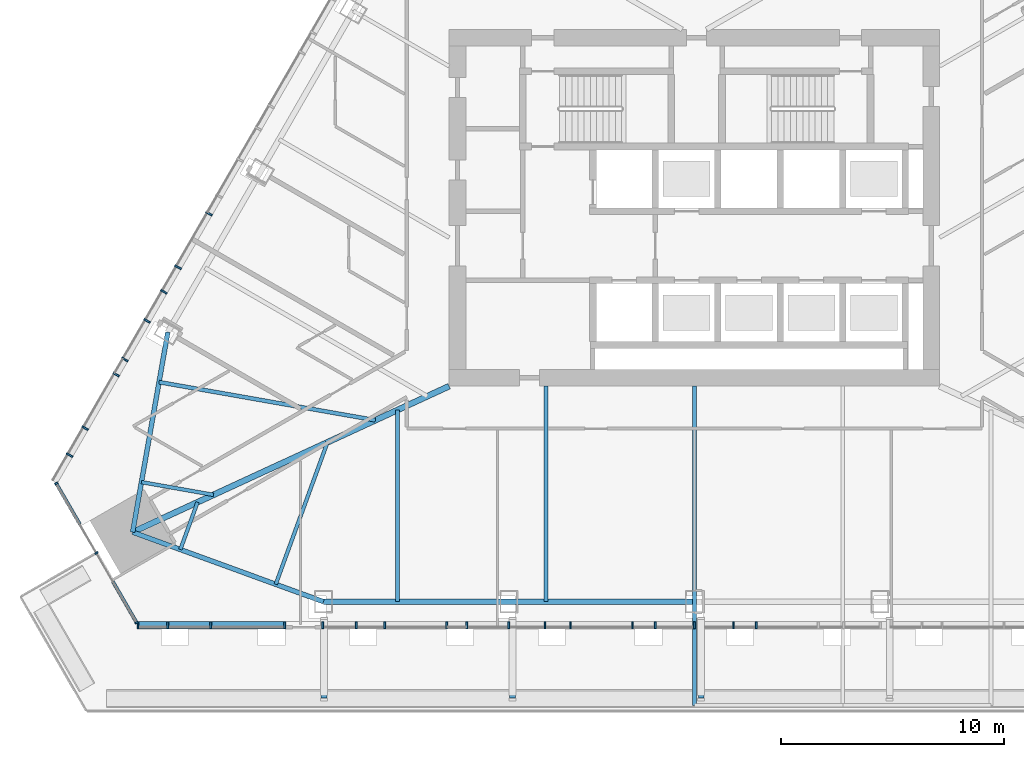
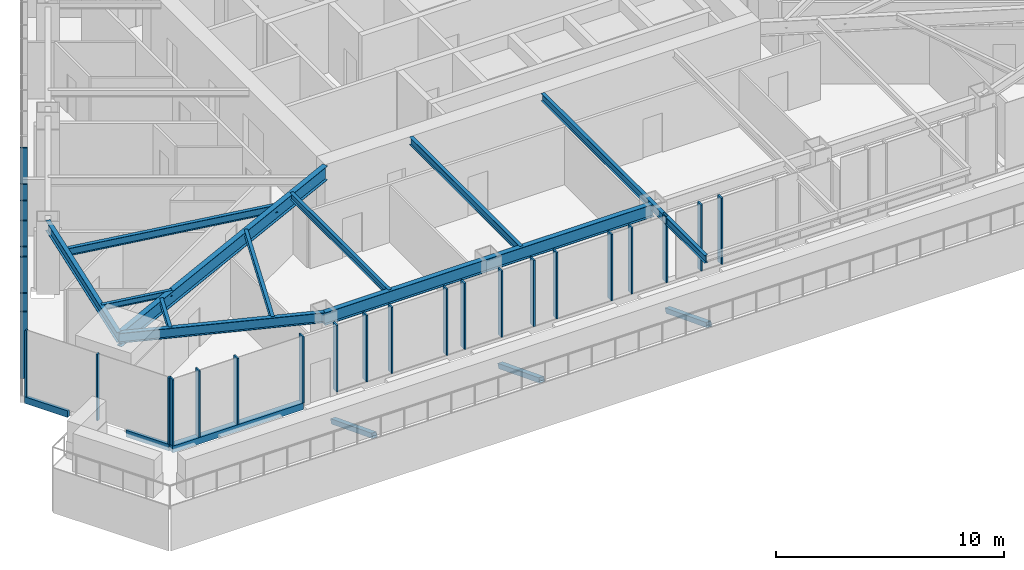
# One storey, part 2 of 21: 34 members, 11 beams, 3 elements without a shape of their own.
"""IFC4 building model written with IfcOpenShell, lengths in metres."""

from ifc_helpers import new_model, si_unit, direction, frame, origin, origin_2d, place, context, subcontext, project, spatial, rectangle, hollow_rectangle, i_section, extrude, material, layer, layer_set, material_profile, profile_set, type_object, element, aggregate, save


model = new_model("IFC4")

# Units and contexts
model_context = context("Model", 3, precision=1e-05, world=origin(), true_north=direction((0.0, 1.0)))
body_context = subcontext(model_context, "Body", "Model", "MODEL_VIEW")
ifc_project = project(units=[si_unit("LENGTHUNIT", "METRE"), si_unit("AREAUNIT", "SQUARE_METRE"), si_unit("VOLUMEUNIT", "CUBIC_METRE"), si_unit("PLANEANGLEUNIT", "RADIAN"), si_unit("MASSUNIT", "GRAM", prefix="KILO")], contexts=[model_context])

# Site, building, storey
site_placement = place(None, origin())
site = spatial("IfcSite", under=ifc_project, at=site_placement, CompositionType="ELEMENT")
building_placement = place(site_placement, origin())
building = spatial("IfcBuilding", under=site, at=building_placement, Name="Firuza Gate Tower and Library", CompositionType="ELEMENT")
storey_placement = place(building_placement, frame((0.0, 0.0, 222.10009765625)))
storey = spatial("IfcBuildingStorey", under=building, at=storey_placement, Name="L52", CompositionType="ELEMENT", Elevation=222.10009765625)

# Curtain wall, members
ifc_material_1 = material(Name="Aluminium 6063-T6", Category="aluminium")
ifc_layer_1 = layer(ifc_material_1, 0.14990234375)
ifc_layer_set_1 = layer_set([ifc_layer_1], Name="Corner curtain wall, chamfers")
curtain_wall_type_1 = type_object("IfcCurtainWallType", Name="Corner curtain wall, chamfers", PredefinedType="NOTDEFINED", material=ifc_layer_set_1)
placement = place(storey_placement, origin())
curtain_wall_1 = element("IfcCurtainWall", 1, at=placement, inside=storey, type_object=curtain_wall_type_1, Name="CW4 L52 SW corner", PredefinedType="NOTDEFINED")
ifc_material_2 = material(Name="Aluminium 6063-T6", Category="aluminium")
ifc_material_profile_1 = material_profile(ifc_material_2, rectangle(XDim=0.14990234375, YDim=0.080078125, at=origin_2d()))
ifc_profile_set_1 = profile_set([ifc_material_profile_1], Name="Aluminium 6063-T6")
member_type_1 = type_object("IfcMemberType", Name="Curtain wall mullion 80x150", PredefinedType="MULLION", material=ifc_profile_set_1)
member_1_placement = place(storey_placement, frame((46.380615234375, 62.63720703125, 0.14990234375), z_axis=(0.0, 0.0, 1.0), x_axis=(0.866025403784, 0.5, 0.0)))
member_1 = element("IfcMember", 2, at=member_1_placement, type_object=member_type_1, Name="Mullion", PredefinedType="MULLION", context=body_context, shape_type="SweptSolid", body=[
    extrude(rectangle(XDim=0.14990234375, YDim=0.080078125, at=origin_2d()), origin(), (0.0, 0.0, 1.0), 3.550048828125),
])
member_2_placement = place(storey_placement, frame((48.182373046875, 59.516845703125, 0.14990234375), z_axis=(0.0, 0.0, 1.0), x_axis=(0.866025403784, 0.5, 0.0)))
member_2 = element("IfcMember", 3, at=member_2_placement, type_object=member_type_1, Name="Mullion", PredefinedType="MULLION", context=body_context, shape_type="SweptSolid", body=[
    extrude(rectangle(XDim=0.14990234375, YDim=0.080078125, at=origin_2d()), origin(), (0.0, 0.0, 1.0), 3.550048828125),
])
member_3_placement = place(storey_placement, frame((49.98388671875, 56.396240234375, 0.14990234375), z_axis=(0.0, 0.0, 1.0), x_axis=(0.866025403784, 0.5, 0.0)))
member_3 = element("IfcMember", 4, at=member_3_placement, type_object=member_type_1, Name="Mullion", PredefinedType="MULLION", context=body_context, shape_type="SweptSolid", body=[
    extrude(rectangle(XDim=0.14990234375, YDim=0.080078125, at=origin_2d()), origin(), (0.0, 0.0, 1.0), 3.550048828125),
])

ifc_material_3 = material(Name="Aluminium 6063-T6", Category="aluminium")
ifc_layer_2 = layer(ifc_material_3, 0.14990234375)
ifc_layer_set_2 = layer_set([ifc_layer_2], Name="Unitised curtain wall, hotel")
curtain_wall_type_2 = type_object("IfcCurtainWallType", Name="Unitised curtain wall, hotel", PredefinedType="NOTDEFINED", material=ifc_layer_set_2)
curtain_wall_2 = element("IfcCurtainWall", 5, at=placement, inside=storey, type_object=curtain_wall_type_2, Name="CW2 L52 S face", PredefinedType="NOTDEFINED")
ifc_material_4 = material(Name="Aluminium 6063-T6", Category="aluminium")
ifc_material_profile_2 = material_profile(ifc_material_4, rectangle(XDim=0.320068359375, YDim=0.080078125, at=origin_2d()))
ifc_profile_set_2 = profile_set([ifc_material_profile_2], Name="Aluminium 6063-T6")
member_type_2 = type_object("IfcMemberType", Name="Curtain wall mullion 80x320", PredefinedType="MULLION", material=ifc_profile_set_2)
member_4_placement = place(storey_placement, frame((50.0439453125, 56.276611328125, 0.14990234375), z_axis=(0.0, 0.0, 1.0), x_axis=(0.0, 1.0, 0.0)))
member_4 = element("IfcMember", 6, at=member_4_placement, type_object=member_type_2, Name="Mullion", PredefinedType="MULLION", context=body_context, shape_type="SweptSolid", body=[
    extrude(rectangle(XDim=0.320068359375, YDim=0.080078125, at=origin_2d()), origin(), (0.0, 0.0, 1.0), 3.550048828125),
])
member_5_placement = place(storey_placement, frame((53.31396484375, 56.276611328125, 0.14990234375), z_axis=(0.0, 0.0, 1.0), x_axis=(0.0, 1.0, 0.0)))
member_5 = element("IfcMember", 7, at=member_5_placement, type_object=member_type_2, Name="Mullion", PredefinedType="MULLION", context=body_context, shape_type="SweptSolid", body=[
    extrude(rectangle(XDim=0.320068359375, YDim=0.080078125, at=origin_2d()), origin(), (0.0, 0.0, 1.0), 3.550048828125),
])
member_6_placement = place(storey_placement, frame((56.6240234375, 56.276611328125, 0.14990234375), z_axis=(0.0, 0.0, 1.0), x_axis=(0.0, 1.0, 0.0)))
member_6 = element("IfcMember", 8, at=member_6_placement, type_object=member_type_2, Name="Mullion", PredefinedType="MULLION", context=body_context, shape_type="SweptSolid", body=[
    extrude(rectangle(XDim=0.320068359375, YDim=0.080078125, at=origin_2d()), origin(), (0.0, 0.0, 1.0), 3.550048828125),
])
member_7_placement = place(storey_placement, frame((58.3359375, 56.276611328125, 0.14990234375), z_axis=(0.0, 0.0, 1.0), x_axis=(0.0, 1.0, 0.0)))
member_7 = element("IfcMember", 9, at=member_7_placement, type_object=member_type_2, Name="Mullion", PredefinedType="MULLION", context=body_context, shape_type="SweptSolid", body=[
    extrude(rectangle(XDim=0.320068359375, YDim=0.080078125, at=origin_2d()), origin(), (0.0, 0.0, 1.0), 3.550048828125),
])
member_8_placement = place(storey_placement, frame((61.11328125, 56.276611328125, 0.14990234375), z_axis=(0.0, 0.0, 1.0), x_axis=(0.0, 1.0, 0.0)))
member_8 = element("IfcMember", 10, at=member_8_placement, type_object=member_type_2, Name="Mullion", PredefinedType="MULLION", context=body_context, shape_type="SweptSolid", body=[
    extrude(rectangle(XDim=0.320068359375, YDim=0.080078125, at=origin_2d()), origin(), (0.0, 0.0, 1.0), 3.550048828125),
])
member_9_placement = place(storey_placement, frame((63.890625, 56.276611328125, 0.14990234375), z_axis=(0.0, 0.0, 1.0), x_axis=(0.0, 1.0, 0.0)))
member_9 = element("IfcMember", 11, at=member_9_placement, type_object=member_type_2, Name="Mullion", PredefinedType="MULLION", context=body_context, shape_type="SweptSolid", body=[
    extrude(rectangle(XDim=0.320068359375, YDim=0.080078125, at=origin_2d()), origin(), (0.0, 0.0, 1.0), 3.550048828125),
])
member_10_placement = place(storey_placement, frame((66.66796875, 56.276611328125, 0.14990234375), z_axis=(0.0, 0.0, 1.0), x_axis=(0.0, 1.0, 0.0)))
member_10 = element("IfcMember", 12, at=member_10_placement, type_object=member_type_2, Name="Mullion", PredefinedType="MULLION", context=body_context, shape_type="SweptSolid", body=[
    extrude(rectangle(XDim=0.320068359375, YDim=0.080078125, at=origin_2d()), origin(), (0.0, 0.0, 1.0), 3.550048828125),
])
member_11_placement = place(storey_placement, frame((69.4453125, 56.276611328125, 0.14990234375), z_axis=(0.0, 0.0, 1.0), x_axis=(0.0, 1.0, 0.0)))
member_11 = element("IfcMember", 13, at=member_11_placement, type_object=member_type_2, Name="Mullion", PredefinedType="MULLION", context=body_context, shape_type="SweptSolid", body=[
    extrude(rectangle(XDim=0.320068359375, YDim=0.080078125, at=origin_2d()), origin(), (0.0, 0.0, 1.0), 3.550048828125),
])
member_12_placement = place(storey_placement, frame((72.22265625, 56.276611328125, 0.14990234375), z_axis=(0.0, 0.0, 1.0), x_axis=(0.0, 1.0, 0.0)))
member_12 = element("IfcMember", 14, at=member_12_placement, type_object=member_type_2, Name="Mullion", PredefinedType="MULLION", context=body_context, shape_type="SweptSolid", body=[
    extrude(rectangle(XDim=0.320068359375, YDim=0.080078125, at=origin_2d()), origin(), (0.0, 0.0, 1.0), 3.550048828125),
])
member_13_placement = place(storey_placement, frame((75.0, 56.276611328125, 0.14990234375), z_axis=(0.0, 0.0, 1.0), x_axis=(0.0, 1.0, 0.0)))
member_13 = element("IfcMember", 15, at=member_13_placement, type_object=member_type_2, Name="Mullion", PredefinedType="MULLION", context=body_context, shape_type="SweptSolid", body=[
    extrude(rectangle(XDim=0.320068359375, YDim=0.080078125, at=origin_2d()), origin(), (0.0, 0.0, 1.0), 3.550048828125),
])
member_14_placement = place(storey_placement, frame((77.77734375, 56.276611328125, 0.14990234375), z_axis=(0.0, 0.0, 1.0), x_axis=(0.0, 1.0, 0.0)))
member_14 = element("IfcMember", 16, at=member_14_placement, type_object=member_type_2, Name="Mullion", PredefinedType="MULLION", context=body_context, shape_type="SweptSolid", body=[
    extrude(rectangle(XDim=0.320068359375, YDim=0.080078125, at=origin_2d()), origin(), (0.0, 0.0, 1.0), 3.550048828125),
])
member_15_placement = place(storey_placement, frame((51.385009765625, 56.276611328125, 0.14990234375), z_axis=(0.0, 0.0, 1.0), x_axis=(0.0, 1.0, 0.0)))
member_15 = element("IfcMember", 17, at=member_15_placement, type_object=member_type_2, Name="Mullion", PredefinedType="MULLION", context=body_context, shape_type="SweptSolid", body=[
    extrude(rectangle(XDim=0.320068359375, YDim=0.080078125, at=origin_2d()), origin(), (0.0, 0.0, 1.0), 3.550048828125),
])
member_16_placement = place(storey_placement, frame((59.8408203125, 56.276611328125, 0.14990234375), z_axis=(0.0, 0.0, 1.0), x_axis=(0.0, 1.0, 0.0)))
member_16 = element("IfcMember", 18, at=member_16_placement, type_object=member_type_2, Name="Mullion", PredefinedType="MULLION", context=body_context, shape_type="SweptSolid", body=[
    extrude(rectangle(XDim=0.320068359375, YDim=0.080078125, at=origin_2d()), origin(), (0.0, 0.0, 1.0), 3.550048828125),
])
member_17_placement = place(storey_placement, frame((64.792236328125, 56.276611328125, 0.14990234375), z_axis=(0.0, 0.0, 1.0), x_axis=(0.0, 1.0, 0.0)))
member_17 = element("IfcMember", 19, at=member_17_placement, type_object=member_type_2, Name="Mullion", PredefinedType="MULLION", context=body_context, shape_type="SweptSolid", body=[
    extrude(rectangle(XDim=0.320068359375, YDim=0.080078125, at=origin_2d()), origin(), (0.0, 0.0, 1.0), 3.550048828125),
])
member_18_placement = place(storey_placement, frame((68.29638671875, 56.276611328125, 0.14990234375), z_axis=(0.0, 0.0, 1.0), x_axis=(0.0, 1.0, 0.0)))
member_18 = element("IfcMember", 20, at=member_18_placement, type_object=member_type_2, Name="Mullion", PredefinedType="MULLION", context=body_context, shape_type="SweptSolid", body=[
    extrude(rectangle(XDim=0.320068359375, YDim=0.080078125, at=origin_2d()), origin(), (0.0, 0.0, 1.0), 3.550048828125),
])
member_19_placement = place(storey_placement, frame((73.247802734375, 56.276611328125, 0.14990234375), z_axis=(0.0, 0.0, 1.0), x_axis=(0.0, 1.0, 0.0)))
member_19 = element("IfcMember", 21, at=member_19_placement, type_object=member_type_2, Name="Mullion", PredefinedType="MULLION", context=body_context, shape_type="SweptSolid", body=[
    extrude(rectangle(XDim=0.320068359375, YDim=0.080078125, at=origin_2d()), origin(), (0.0, 0.0, 1.0), 3.550048828125),
])
member_20_placement = place(storey_placement, frame((76.752197265625, 56.276611328125, 0.14990234375), z_axis=(0.0, 0.0, 1.0), x_axis=(0.0, 1.0, 0.0)))
member_20 = element("IfcMember", 22, at=member_20_placement, type_object=member_type_2, Name="Mullion", PredefinedType="MULLION", context=body_context, shape_type="SweptSolid", body=[
    extrude(rectangle(XDim=0.320068359375, YDim=0.080078125, at=origin_2d()), origin(), (0.0, 0.0, 1.0), 3.550048828125),
])

curtain_wall_3 = element("IfcCurtainWall", 23, at=placement, inside=storey, type_object=curtain_wall_type_2, Name="CW2 L52 W face", PredefinedType="NOTDEFINED")
member_21_placement = place(storey_placement, frame((53.23046875, 74.74072265625, 0.14990234375), z_axis=(0.0, 0.0, 1.0), x_axis=(0.866025403784, -0.5, 0.0)))
member_21 = element("IfcMember", 24, at=member_21_placement, type_object=member_type_2, Name="Mullion", PredefinedType="MULLION", context=body_context, shape_type="SweptSolid", body=[
    extrude(rectangle(XDim=0.320068359375, YDim=0.080078125, at=origin_2d()), origin(), (0.0, 0.0, 1.0), 3.550048828125),
])
member_22_placement = place(storey_placement, frame((51.841796875, 72.33544921875, 0.14990234375), z_axis=(0.0, 0.0, 1.0), x_axis=(0.866025403784, -0.5, 0.0)))
member_22 = element("IfcMember", 25, at=member_22_placement, type_object=member_type_2, Name="Mullion", PredefinedType="MULLION", context=body_context, shape_type="SweptSolid", body=[
    extrude(rectangle(XDim=0.320068359375, YDim=0.080078125, at=origin_2d()), origin(), (0.0, 0.0, 1.0), 3.550048828125),
])
member_23_placement = place(storey_placement, frame((50.453125, 69.93017578125, 0.14990234375), z_axis=(0.0, 0.0, 1.0), x_axis=(0.866025403784, -0.5, 0.0)))
member_23 = element("IfcMember", 26, at=member_23_placement, type_object=member_type_2, Name="Mullion", PredefinedType="MULLION", context=body_context, shape_type="SweptSolid", body=[
    extrude(rectangle(XDim=0.320068359375, YDim=0.080078125, at=origin_2d()), origin(), (0.0, 0.0, 1.0), 3.550048828125),
])
member_24_placement = place(storey_placement, frame((49.064453125, 67.52490234375, 0.14990234375), z_axis=(0.0, 0.0, 1.0), x_axis=(0.866025403784, -0.5, 0.0)))
member_24 = element("IfcMember", 27, at=member_24_placement, type_object=member_type_2, Name="Mullion", PredefinedType="MULLION", context=body_context, shape_type="SweptSolid", body=[
    extrude(rectangle(XDim=0.320068359375, YDim=0.080078125, at=origin_2d()), origin(), (0.0, 0.0, 1.0), 3.550048828125),
])
member_25_placement = place(storey_placement, frame((47.67578125, 65.11962890625, 0.14990234375), z_axis=(0.0, 0.0, 1.0), x_axis=(0.866025403784, -0.5, 0.0)))
member_25 = element("IfcMember", 28, at=member_25_placement, type_object=member_type_2, Name="Mullion", PredefinedType="MULLION", context=body_context, shape_type="SweptSolid", body=[
    extrude(rectangle(XDim=0.320068359375, YDim=0.080078125, at=origin_2d()), origin(), (0.0, 0.0, 1.0), 3.550048828125),
])
member_26_placement = place(storey_placement, frame((51.205322265625, 71.2333984375, 0.14990234375), z_axis=(0.0, 0.0, 1.0), x_axis=(0.866025403784, -0.5, 0.0)))
member_26 = element("IfcMember", 29, at=member_26_placement, type_object=member_type_2, Name="Mullion", PredefinedType="MULLION", context=body_context, shape_type="SweptSolid", body=[
    extrude(rectangle(XDim=0.320068359375, YDim=0.080078125, at=origin_2d()), origin(), (0.0, 0.0, 1.0), 3.550048828125),
])
member_27_placement = place(storey_placement, frame((49.453369140625, 68.19873046875, 0.14990234375), z_axis=(0.0, 0.0, 1.0), x_axis=(0.866025403784, -0.5, 0.0)))
member_27 = element("IfcMember", 30, at=member_27_placement, type_object=member_type_2, Name="Mullion", PredefinedType="MULLION", context=body_context, shape_type="SweptSolid", body=[
    extrude(rectangle(XDim=0.320068359375, YDim=0.080078125, at=origin_2d()), origin(), (0.0, 0.0, 1.0), 3.550048828125),
])
member_28_placement = place(storey_placement, frame((46.9775390625, 63.91064453125, 0.14990234375), z_axis=(0.0, 0.0, 1.0), x_axis=(0.866025403784, -0.5, 0.0)))
member_28 = element("IfcMember", 31, at=member_28_placement, type_object=member_type_2, Name="Mullion", PredefinedType="MULLION", context=body_context, shape_type="SweptSolid", body=[
    extrude(rectangle(XDim=0.320068359375, YDim=0.080078125, at=origin_2d()), origin(), (0.0, 0.0, 1.0), 3.550048828125),
])
aggregate(curtain_wall_3, [member_21, member_22, member_23, member_24, member_25, member_26, member_27, member_28])

# Member
ifc_material_5 = material(Name="Aluminium 6063-T6", Category="aluminium")
ifc_material_profile_3 = material_profile(ifc_material_5, rectangle(XDim=0.14990234375, YDim=0.35009765625, at=origin_2d()))
ifc_profile_set_3 = profile_set([ifc_material_profile_3], Name="Aluminium 6063-T6")
member_type_3 = type_object("IfcMemberType", Name="Curtain wall transom 350x150", PredefinedType="USERDEFINED", material=ifc_profile_set_3)
member_29_placement = place(storey_placement, frame((46.360595703125, 62.671875, -0.025146484375), z_axis=(0.500083913605, -0.865976950821, 0.0), x_axis=(0.865976950821, 0.500083913605, 0.0)))
member_29 = element("IfcMember", 32, at=member_29_placement, type_object=member_type_3, Name="Transom", ObjectType="TRANSOM", PredefinedType="USERDEFINED", context=body_context, shape_type="SweptSolid", body=[
    extrude(rectangle(XDim=0.14990234375, YDim=0.35009765625, at=origin_2d()), origin(), (0.0, 0.0, 1.0), 2.163330078125),
])

member_30_placement = place(storey_placement, frame((48.92236328125, 58.235107421875, -0.025146484375), z_axis=(0.499950402033, -0.866054037291, 0.0), x_axis=(0.866054037291, 0.499950402033, 0.0)))
member_30 = element("IfcMember", 33, at=member_30_placement, type_object=member_type_3, Name="Transom", ObjectType="TRANSOM", PredefinedType="USERDEFINED", context=body_context, shape_type="SweptSolid", body=[
    extrude(rectangle(XDim=0.14990234375, YDim=0.35009765625, at=origin_2d()), origin(), (0.0, 0.0, 1.0), 2.163330078125),
])

aggregate(curtain_wall_1, [member_1, member_2, member_3, member_29, member_30])

ifc_material_6 = material(Name="Aluminium 6063-T6", Category="aluminium")
ifc_material_profile_4 = material_profile(ifc_material_6, rectangle(XDim=0.320068359375, YDim=0.35009765625, at=origin_2d()))
ifc_profile_set_4 = profile_set([ifc_material_profile_4], Name="Aluminium 6063-T6")
member_type_4 = type_object("IfcMemberType", Name="Curtain wall transom 350x320", PredefinedType="USERDEFINED", material=ifc_profile_set_4)
member_31_placement = place(storey_placement, frame((50.00390625, 56.276611328125, -0.025146484375), z_axis=(1.0, 0.0, 0.0), x_axis=(0.0, 1.0, 0.0)))
member_31 = element("IfcMember", 34, at=member_31_placement, type_object=member_type_4, Name="Transom", ObjectType="TRANSOM", PredefinedType="USERDEFINED", context=body_context, shape_type="SweptSolid", body=[
    extrude(rectangle(XDim=0.320068359375, YDim=0.35009765625, at=origin_2d()), origin(), (0.0, 0.0, 1.0), 6.6201171875),
])

aggregate(curtain_wall_2, [member_4, member_5, member_6, member_7, member_8, member_9, member_10, member_11, member_12, member_13, member_14, member_31, member_15, member_16, member_17, member_18, member_19, member_20])

# Members
ifc_material_7 = material(Name="Steel S355", Category="steel")
ifc_material_profile_5 = material_profile(ifc_material_7, hollow_rectangle(XDim=0.25390625, YDim=0.25390625, WallThickness=0.01171875, at=origin_2d()))
ifc_profile_set_5 = profile_set([ifc_material_profile_5], Name="Steel S355")
member_type_5 = type_object("IfcMemberType", Name="HSS254x254x13 Tray strut", PredefinedType="BRACE", material=ifc_profile_set_5)
for number, where, z_axis, x_axis, name in (
    (35, (58.388671875, 56.5625, -1.670166015625), (0.0, -0.931995182262, 0.362470661215), (1.0, 0.0, 0.0), "Tray strut L52 col:L51:S1"),
    (36, (66.84423828125, 56.5625, -1.670166015625), (0.0, -0.931995182262, 0.362470661215), (1.0, 0.0, 0.0), "Tray strut L52 col:L51:S2"),
    (37, (75.300048828125, 56.5625, -1.670166015625), (0.0, -0.931995182262, 0.362470661215), (1.0, 0.0, 0.0), "Tray strut L52 col:L51:S3"),
):
    element("IfcMember", number, at=place(storey_placement, frame(where, z_axis=z_axis, x_axis=x_axis)), inside=storey, type_object=member_type_5, Name=name, PredefinedType="BRACE", context=body_context, shape_type="SweptSolid", body=[
        extrude(hollow_rectangle(XDim=0.25390625, YDim=0.25390625, WallThickness=0.01171875, at=origin_2d()), origin(), (0.0, 0.0, 1.0), 3.86279296875),
    ])

# Beams
ifc_material_8 = material(Name="Steel S355", Category="steel")
ifc_material_profile_6 = material_profile(ifc_material_8, i_section(OverallWidth=0.1650390625, OverallDepth=0.31005859375, WebThickness=0.005859375, FlangeThickness=0.009765625, at=origin_2d()))
ifc_profile_set_6 = profile_set([ifc_material_profile_6], Name="Steel S355")
beam_type_1 = type_object("IfcBeamType", Name="W310x39 Floor beam", PredefinedType="JOIST", material=ifc_profile_set_6)
beam_1_placement = place(storey_placement, frame((50.200927734375, 62.697021484375, 3.544921875), z_axis=(0.984853837144, -0.173386618467, 0.0), x_axis=(0.173386618467, 0.984853837144, 0.0)))
element("IfcBeam", 38, at=beam_1_placement, inside=storey, type_object=beam_type_1, Name="Floor beam L52 s01", PredefinedType="JOIST", context=body_context, shape_type="SweptSolid", body=[
    extrude(i_section(OverallWidth=0.1650390625, OverallDepth=0.31005859375, WebThickness=0.005859375, FlangeThickness=0.009765625, at=origin_2d()), origin(), (0.0, 0.0, 1.0), 3.28369140625),
])
beam_2_placement = place(storey_placement, frame((51.94580078125, 59.6748046875, 3.544921875), z_axis=(0.342237584448, 0.939613450197, 0.0), x_axis=(-0.939613450197, 0.342237584448, 0.0)))
element("IfcBeam", 39, at=beam_2_placement, inside=storey, type_object=beam_type_1, Name="Floor beam L52 s10", PredefinedType="JOIST", context=body_context, shape_type="SweptSolid", body=[
    extrude(i_section(OverallWidth=0.1650390625, OverallDepth=0.31005859375, WebThickness=0.005859375, FlangeThickness=0.009765625, at=origin_2d()), origin(), (0.0, 0.0, 1.0), 2.25927734375),
])
beam_3_placement = place(storey_placement, frame((56.22509765625, 58.115966796875, 3.544921875), z_axis=(0.342269386036, 0.939601866422, 0.0), x_axis=(-0.939601866422, 0.342269386036, 0.0)))
element("IfcBeam", 40, at=beam_3_placement, inside=storey, type_object=beam_type_1, Name="Floor beam L52 s11", PredefinedType="JOIST", context=body_context, shape_type="SweptSolid", body=[
    extrude(i_section(OverallWidth=0.1650390625, OverallDepth=0.31005859375, WebThickness=0.005859375, FlangeThickness=0.009765625, at=origin_2d()), origin(), (0.0, 0.0, 1.0), 6.77783203125),
])
ifc_material_9 = material(Name="Steel S355", Category="steel")
ifc_material_profile_7 = material_profile(ifc_material_9, i_section(OverallWidth=0.1708984375, OverallDepth=0.35498046875, WebThickness=0.007080078125, FlangeThickness=0.01171875, at=origin_2d()))
ifc_profile_set_7 = profile_set([ifc_material_profile_7], Name="Steel S355")
beam_type_2 = type_object("IfcBeamType", Name="W360x51 Floor beam", PredefinedType="JOIST", material=ifc_profile_set_7)
beam_4_placement = place(storey_placement, frame((61.69189453125, 57.336669921875, 3.5224609375), z_axis=(0.0, 1.0, 0.0), x_axis=(-1.0, 0.0, 0.0)))
element("IfcBeam", 41, at=beam_4_placement, inside=storey, type_object=beam_type_2, Name="Floor beam L52 s20", PredefinedType="JOIST", context=body_context, shape_type="SweptSolid", body=[
    extrude(i_section(OverallWidth=0.1708984375, OverallDepth=0.35498046875, WebThickness=0.007080078125, FlangeThickness=0.01171875, at=origin_2d()), origin(), (0.0, 0.0, 1.0), 8.598876953125),
])
ifc_material_10 = material(Name="Steel S355", Category="steel")
ifc_material_profile_8 = material_profile(ifc_material_10, i_section(OverallWidth=0.177978515625, OverallDepth=0.406982421875, WebThickness=0.0078125, FlangeThickness=0.0126953125, at=origin_2d()))
ifc_profile_set_8 = profile_set([ifc_material_profile_8], Name="Steel S355")
beam_type_3 = type_object("IfcBeamType", Name="W410x60 Floor beam", PredefinedType="JOIST", material=ifc_profile_set_8)
beam_5_placement = place(storey_placement, frame((50.990478515625, 67.182373046875, 3.496337890625), z_axis=(0.984858068941, -0.173362579703, 0.0), x_axis=(0.173362579703, 0.984858068941, 0.0)))
element("IfcBeam", 42, at=beam_5_placement, inside=storey, type_object=beam_type_3, Name="Floor beam L52 s00", PredefinedType="JOIST", context=body_context, shape_type="SweptSolid", body=[
    extrude(i_section(OverallWidth=0.177978515625, OverallDepth=0.406982421875, WebThickness=0.0078125, FlangeThickness=0.0126953125, at=origin_2d()), origin(), (0.0, 0.0, 1.0), 9.850830078125),
])
beam_6_placement = place(storey_placement, frame((68.345947265625, 57.336669921875, 3.496337890625), z_axis=(0.0, 1.0, 0.0), x_axis=(-1.0, 0.0, 0.0)))
element("IfcBeam", 43, at=beam_6_placement, inside=storey, type_object=beam_type_3, Name="Floor beam L52 s21", PredefinedType="JOIST", context=body_context, shape_type="SweptSolid", body=[
    extrude(i_section(OverallWidth=0.177978515625, OverallDepth=0.406982421875, WebThickness=0.0078125, FlangeThickness=0.0126953125, at=origin_2d()), origin(), (0.0, 0.0, 1.0), 9.663330078125),
])
beam_7_placement = place(storey_placement, frame((75.0, 52.6865234375, 3.496337890625), z_axis=(0.0, 1.0, 0.0), x_axis=(-1.0, 0.0, 0.0)))
element("IfcBeam", 44, at=beam_7_placement, inside=storey, type_object=beam_type_3, Name="Floor beam L52 s22", PredefinedType="JOIST", context=body_context, shape_type="SweptSolid", body=[
    extrude(i_section(OverallWidth=0.177978515625, OverallDepth=0.406982421875, WebThickness=0.0078125, FlangeThickness=0.0126953125, at=origin_2d()), origin(), (0.0, 0.0, 1.0), 14.3134765625),
])
ifc_material_11 = material(Name="Steel S355", Category="steel")
ifc_material_profile_9 = material_profile(ifc_material_11, i_section(OverallWidth=0.212890625, OverallDepth=0.5390625, WebThickness=0.01171875, FlangeThickness=0.018798828125, at=origin_2d()))
ifc_profile_set_9 = profile_set([ifc_material_profile_9], Name="Steel S355")
beam_type_4 = type_object("IfcBeamType", Name="W530x109 Edge beam", PredefinedType="SPANDREL", material=ifc_profile_set_9)
beam_8_placement = place(storey_placement, frame((51.385498046875, 69.42529296875, 3.430419921875), z_axis=(-0.173384722592, -0.984854170916, 0.0), x_axis=(0.984854170916, -0.173384722592, 0.0)))
element("IfcBeam", 45, at=beam_8_placement, inside=storey, type_object=beam_type_4, Name="Edge beam L52 e00", PredefinedType="SPANDREL", context=body_context, shape_type="SweptSolid", body=[
    extrude(i_section(OverallWidth=0.212890625, OverallDepth=0.5390625, WebThickness=0.01171875, FlangeThickness=0.018798828125, at=origin_2d()), origin(), (0.0, 0.0, 1.0), 9.10888671875),
])
beam_9_placement = place(storey_placement, frame((49.80615234375, 60.454345703125, 3.430419921875), z_axis=(0.939600763384, -0.342272414092, 0.0), x_axis=(0.342272414092, 0.939600763384, 0.0)))
element("IfcBeam", 46, at=beam_9_placement, inside=storey, type_object=beam_type_4, Name="Edge beam L52 e10", PredefinedType="SPANDREL", context=body_context, shape_type="SweptSolid", body=[
    extrude(i_section(OverallWidth=0.212890625, OverallDepth=0.5390625, WebThickness=0.01171875, FlangeThickness=0.018798828125, at=origin_2d()), origin(), (0.0, 0.0, 1.0), 9.108642578125),
])
ifc_material_12 = material(Name="Steel S355", Category="steel")
ifc_material_profile_10 = material_profile(ifc_material_12, i_section(OverallWidth=0.2529296875, OverallDepth=0.677978515625, WebThickness=0.01171875, FlangeThickness=0.016357421875, at=origin_2d()))
ifc_profile_set_10 = profile_set([ifc_material_profile_10], Name="Steel S355")
beam_type_5 = type_object("IfcBeamType", Name="W690x125 Edge beam", PredefinedType="SPANDREL", material=ifc_profile_set_10)
beam_10_placement = place(storey_placement, frame((58.36474609375, 57.336669921875, 3.36083984375), z_axis=(1.0, 0.0, 0.0), x_axis=(0.0, 1.0, 0.0)))
element("IfcBeam", 47, at=beam_10_placement, inside=storey, type_object=beam_type_5, Name="Edge beam L52 e20", PredefinedType="SPANDREL", context=body_context, shape_type="SweptSolid", body=[
    extrude(i_section(OverallWidth=0.2529296875, OverallDepth=0.677978515625, WebThickness=0.01171875, FlangeThickness=0.016357421875, at=origin_2d()), origin(), (0.0, 0.0, 1.0), 16.63525390625),
])
ifc_material_13 = material(Name="Steel S355", Category="steel")
ifc_material_profile_11 = material_profile(ifc_material_13, i_section(OverallWidth=0.264892578125, OverallDepth=0.7529296875, WebThickness=0.01318359375, FlangeThickness=0.01708984375, at=origin_2d()))
ifc_profile_set_11 = profile_set([ifc_material_profile_11], Name="Steel S355")
beam_type_6 = type_object("IfcBeamType", Name="W760x147 Girder", PredefinedType="BEAM", material=ifc_profile_set_11)
beam_11_placement = place(storey_placement, frame((49.80615234375, 60.454345703125, 3.323486328125), z_axis=(0.908089630554, 0.418775862341, 0.0), x_axis=(-0.418775862341, 0.908089630554, 0.0)))
element("IfcBeam", 48, at=beam_11_placement, inside=storey, type_object=beam_type_6, Name="Girder L52 gSW", PredefinedType="BEAM", context=body_context, shape_type="SweptSolid", body=[
    extrude(i_section(OverallWidth=0.264892578125, OverallDepth=0.7529296875, WebThickness=0.01318359375, FlangeThickness=0.01708984375, at=origin_2d()), origin(), (0.0, 0.0, 1.0), 15.63037109375),
])

save(model, "model.ifc")
